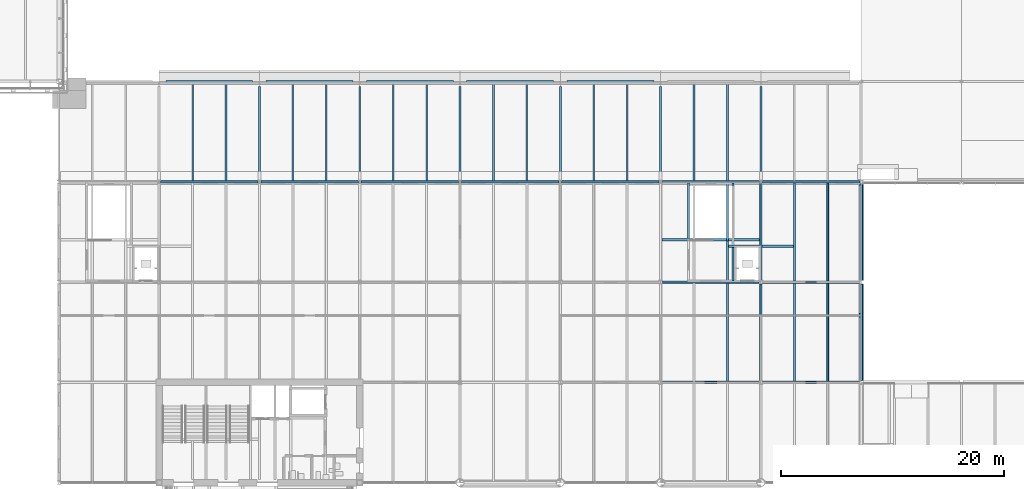
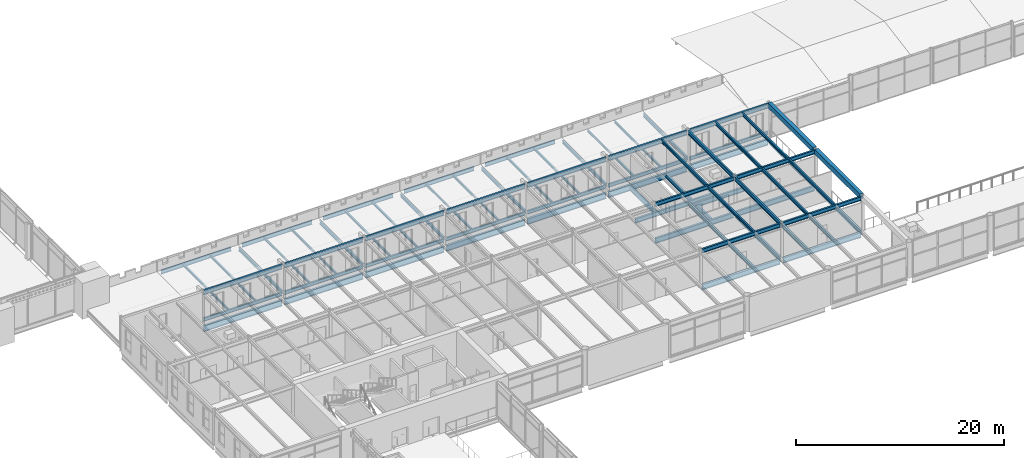
# One storey, part 38 of 123: 78 beams.
"""IFC4 building model written with IfcOpenShell, lengths in metres."""

from ifc_helpers import new_model, si_unit, direction, frame, origin, origin_2d, place, context, subcontext, project, spatial, hollow_rectangle, i_section, extrude, material, material_profile, profile_set, type_object, element, save


model = new_model("IFC4")

# Units and contexts
model_context = context("Model", 3, precision=1e-05, world=origin(), true_north=direction((0.0, 1.0)))
body_context = subcontext(model_context, "Body", "Model", "MODEL_VIEW")
ifc_project = project(units=[si_unit("LENGTHUNIT", "METRE"), si_unit("AREAUNIT", "SQUARE_METRE"), si_unit("VOLUMEUNIT", "CUBIC_METRE"), si_unit("PLANEANGLEUNIT", "RADIAN"), si_unit("MASSUNIT", "GRAM", prefix="KILO")], contexts=[model_context])

# Site, building, storey
site_placement = place(None, origin())
site = spatial("IfcSite", under=ifc_project, at=site_placement, CompositionType="ELEMENT")
building_placement = place(site_placement, origin())
building = spatial("IfcBuilding", under=site, at=building_placement, Name="Baradari Gate Terminus", CompositionType="ELEMENT")
storey_placement = place(building_placement, frame((0.0, 0.0, 7.5)))
storey = spatial("IfcBuildingStorey", under=building, at=storey_placement, Name="L01", CompositionType="ELEMENT", Elevation=7.5)

# Beams
ifc_material_1 = material(Name="Steel S355", Category="steel")
ifc_material_profile_1 = material_profile(ifc_material_1, i_section(OverallWidth=0.17138671875, OverallDepth=0.35498046875, WebThickness=0.00732421875, FlangeThickness=0.011474609375, FilletRadius=0.01025390625, at=origin_2d()), Name="UB 356x171x51")
ifc_profile_set_1 = profile_set([ifc_material_profile_1], Name="Steel S355")
beam_type_1 = type_object("IfcBeamType", Name="Canopy cross beam B61 UB 356x171x51", PredefinedType="BEAM", material=ifc_profile_set_1)
for number, where, z_axis, x_axis, name in (
    (1, (81.0, 108.130126953125, 0.6025390625), (0.0, 1.0, 0.0), (-1.0, 0.0, 0.0), "Canopy cross beam B61 10:108.13-116.55 L01"),
    (2, (90.0, 108.130126953125, 0.6025390625), (0.0, 1.0, 0.0), (-1.0, 0.0, 0.0), "Canopy cross beam B61 11:108.13-116.55 L01"),
    (3, (99.0, 108.130126953125, 0.6025390625), (0.0, 1.0, 0.0), (-1.0, 0.0, 0.0), "Canopy cross beam B61 12:108.13-116.55 L01"),
    (4, (108.0, 108.130126953125, 0.6025390625), (0.0, 1.0, 0.0), (-1.0, 0.0, 0.0), "Canopy cross beam B61 13:108.13-116.55 L01"),
    (5, (117.0, 108.130126953125, 0.6025390625), (0.0, 1.0, 0.0), (-1.0, 0.0, 0.0), "Canopy cross beam B61 14:108.13-116.55 L01"),
    (6, (126.0, 108.130126953125, 0.6025390625), (0.0, 1.0, 0.0), (-1.0, 0.0, 0.0), "Canopy cross beam B61 15:108.13-116.55 L01"),
):
    element("IfcBeam", number, at=place(storey_placement, frame(where, z_axis=z_axis, x_axis=x_axis)), inside=storey, type_object=beam_type_1, Name=name, PredefinedType="BEAM", context=body_context, shape_type="SweptSolid", body=[
        extrude(i_section(OverallWidth=0.17138671875, OverallDepth=0.35498046875, WebThickness=0.00732421875, FlangeThickness=0.011474609375, FilletRadius=0.01025390625, at=origin_2d()), origin(), (0.0, 0.0, 1.0), 8.419921875),
    ])
ifc_material_2 = material(Name="Steel S355", Category="steel")
ifc_material_profile_2 = material_profile(ifc_material_2, i_section(OverallWidth=0.1552734375, OverallDepth=0.4658203125, WebThickness=0.010498046875, FlangeThickness=0.018798828125, FilletRadius=0.01025390625, at=origin_2d()), Name="UB 457x152x82")
ifc_profile_set_2 = profile_set([ifc_material_profile_2], Name="Steel S355")
beam_type_2 = type_object("IfcBeamType", Name="Canopy edge beam B59 UB 457x152x82", PredefinedType="BEAM", material=ifc_profile_set_2)
for number, where, z_axis, x_axis, name in (
    (7, (72.60009765625, 117.0, 0.547119140625), (1.0, 0.0, 0.0), (0.0, 1.0, 0.0), "Canopy edge beam B59 P:72.6-80.4 L01"),
    (8, (81.60009765625, 117.0, 0.547119140625), (1.0, 0.0, 0.0), (0.0, 1.0, 0.0), "Canopy edge beam B59 P:81.6-89.4 L01"),
    (9, (90.60009765625, 117.0, 0.547119140625), (1.0, 0.0, 0.0), (0.0, 1.0, 0.0), "Canopy edge beam B59 P:90.6-98.4 L01"),
    (10, (99.60009765625, 117.0, 0.547119140625), (1.0, 0.0, 0.0), (0.0, 1.0, 0.0), "Canopy edge beam B59 P:99.6-107.4 L01"),
    (11, (108.60009765625, 117.0, 0.547119140625), (1.0, 0.0, 0.0), (0.0, 1.0, 0.0), "Canopy edge beam B59 P:108.6-116.4 L01"),
):
    element("IfcBeam", number, at=place(storey_placement, frame(where, z_axis=z_axis, x_axis=x_axis)), inside=storey, type_object=beam_type_2, Name=name, PredefinedType="BEAM", context=body_context, shape_type="SweptSolid", body=[
        extrude(i_section(OverallWidth=0.1552734375, OverallDepth=0.4658203125, WebThickness=0.010498046875, FlangeThickness=0.018798828125, FilletRadius=0.01025390625, at=origin_2d()), origin(), (0.0, 0.0, 1.0), 7.7998046875),
    ])
ifc_material_3 = material(Name="Steel S355", Category="steel")
ifc_material_profile_3 = material_profile(ifc_material_3, i_section(OverallWidth=0.177978515625, OverallDepth=0.406494140625, WebThickness=0.0078125, FlangeThickness=0.0126953125, FilletRadius=0.01025390625, at=origin_2d()), Name="UB 406x178x60")
ifc_profile_set_3 = profile_set([ifc_material_profile_3], Name="Steel S355")
beam_type_3 = type_object("IfcBeamType", Name="Canopy girder B58 UB 406x178x60", PredefinedType="BEAM", material=ifc_profile_set_3)
for number, where, z_axis, x_axis, name in (
    (12, (72.128173828125, 108.0, 0.576904296875), (1.0, 0.0, 0.0), (0.0, 1.0, 0.0), "Canopy girder B58 N:72.128-80.872 L01"),
    (13, (81.128173828125, 108.0, 0.576904296875), (1.0, 0.0, 0.0), (0.0, 1.0, 0.0), "Canopy girder B58 N:81.128-89.872 L01"),
    (14, (90.128173828125, 108.0, 0.576904296875), (1.0, 0.0, 0.0), (0.0, 1.0, 0.0), "Canopy girder B58 N:90.128-98.872 L01"),
    (15, (99.128173828125, 108.0, 0.576904296875), (1.0, 0.0, 0.0), (0.0, 1.0, 0.0), "Canopy girder B58 N:99.128-107.872 L01"),
    (16, (108.128173828125, 108.0, 0.576904296875), (1.0, 0.0, 0.0), (0.0, 1.0, 0.0), "Canopy girder B58 N:108.128-116.872 L01"),
    (17, (117.128173828125, 108.0, 0.576904296875), (1.0, 0.0, 0.0), (0.0, 1.0, 0.0), "Canopy girder B58 N:117.128-125.872 L01"),
    (18, (126.128173828125, 108.0, 0.576904296875), (1.0, 0.0, 0.0), (0.0, 1.0, 0.0), "Canopy girder B58 N:126.128-134.872 L01"),
):
    element("IfcBeam", number, at=place(storey_placement, frame(where, z_axis=z_axis, x_axis=x_axis)), inside=storey, type_object=beam_type_3, Name=name, PredefinedType="BEAM", context=body_context, shape_type="SweptSolid", body=[
        extrude(i_section(OverallWidth=0.177978515625, OverallDepth=0.406494140625, WebThickness=0.0078125, FlangeThickness=0.0126953125, FilletRadius=0.01025390625, at=origin_2d()), origin(), (0.0, 0.0, 1.0), 8.74365234375),
    ])
ifc_material_4 = material(Name="Steel S355", Category="steel")
ifc_material_profile_4 = material_profile(ifc_material_4, i_section(OverallWidth=0.14599609375, OverallDepth=0.25146484375, WebThickness=0.006103515625, FlangeThickness=0.008544921875, FilletRadius=0.007568359375, at=origin_2d()), Name="UB 254x146x31")
ifc_profile_set_4 = profile_set([ifc_material_profile_4], Name="Steel S355")
beam_type_4 = type_object("IfcBeamType", Name="Canopy secondary beam B60 UB 254x146x31", PredefinedType="BEAM", material=ifc_profile_set_4)
for number, where, z_axis, x_axis, name in (
    (19, (75.0, 108.0888671875, 0.654296875), (0.0, 1.0, 0.0), (-1.0, 0.0, 0.0), "Canopy secondary beam B60 75:108.089-116.922 L01"),
    (20, (78.0, 108.0888671875, 0.654296875), (0.0, 1.0, 0.0), (-1.0, 0.0, 0.0), "Canopy secondary beam B60 78:108.089-116.922 L01"),
    (21, (84.0, 108.0888671875, 0.654296875), (0.0, 1.0, 0.0), (-1.0, 0.0, 0.0), "Canopy secondary beam B60 84:108.089-116.922 L01"),
    (22, (87.0, 108.0888671875, 0.654296875), (0.0, 1.0, 0.0), (-1.0, 0.0, 0.0), "Canopy secondary beam B60 87:108.089-116.922 L01"),
    (23, (93.0, 108.0888671875, 0.654296875), (0.0, 1.0, 0.0), (-1.0, 0.0, 0.0), "Canopy secondary beam B60 93:108.089-116.922 L01"),
    (24, (96.0, 108.0888671875, 0.654296875), (0.0, 1.0, 0.0), (-1.0, 0.0, 0.0), "Canopy secondary beam B60 96:108.089-116.922 L01"),
    (25, (102.0, 108.0888671875, 0.654296875), (0.0, 1.0, 0.0), (-1.0, 0.0, 0.0), "Canopy secondary beam B60 102:108.089-116.922 L01"),
    (26, (105.0, 108.0888671875, 0.654296875), (0.0, 1.0, 0.0), (-1.0, 0.0, 0.0), "Canopy secondary beam B60 105:108.089-116.922 L01"),
    (27, (111.0, 108.0888671875, 0.654296875), (0.0, 1.0, 0.0), (-1.0, 0.0, 0.0), "Canopy secondary beam B60 111:108.089-116.922 L01"),
    (28, (114.0, 108.0888671875, 0.654296875), (0.0, 1.0, 0.0), (-1.0, 0.0, 0.0), "Canopy secondary beam B60 114:108.089-116.922 L01"),
    (29, (120.0, 108.0888671875, 0.654296875), (0.0, 1.0, 0.0), (-1.0, 0.0, 0.0), "Canopy secondary beam B60 120:108.089-116.922 L01"),
    (30, (123.0, 108.0888671875, 0.654296875), (0.0, 1.0, 0.0), (-1.0, 0.0, 0.0), "Canopy secondary beam B60 123:108.089-116.922 L01"),
):
    element("IfcBeam", number, at=place(storey_placement, frame(where, z_axis=z_axis, x_axis=x_axis)), inside=storey, type_object=beam_type_4, Name=name, PredefinedType="BEAM", context=body_context, shape_type="SweptSolid", body=[
        extrude(i_section(OverallWidth=0.14599609375, OverallDepth=0.25146484375, WebThickness=0.006103515625, FlangeThickness=0.008544921875, FilletRadius=0.007568359375, at=origin_2d()), origin(), (0.0, 0.0, 1.0), 8.83349609375),
    ])
ifc_material_5 = material(Name="Steel S355", Category="steel")
ifc_material_profile_5 = material_profile(ifc_material_5, i_section(OverallWidth=0.210693359375, OverallDepth=0.53955078125, WebThickness=0.01171875, FlangeThickness=0.018798828125, FilletRadius=0.0126953125, at=origin_2d()), Name="UB 533x210x109")
ifc_profile_set_5 = profile_set([ifc_material_profile_5], Name="Steel S355")
beam_type_5 = type_object("IfcBeamType", Name="Head-house cross girder B12 UB 533x210x109", PredefinedType="BEAM", material=ifc_profile_set_5)
beam_1_placement = place(storey_placement, frame((126.0, 90.1572265625, -0.399658203125), z_axis=(0.0, 1.0, 0.0), x_axis=(-1.0, 0.0, 0.0)))
element("IfcBeam", 31, at=beam_1_placement, inside=storey, type_object=beam_type_5, Name="Head-house cross girder B12 15:90.157-98.843 L01", PredefinedType="BEAM", context=body_context, shape_type="SweptSolid", body=[
    extrude(i_section(OverallWidth=0.210693359375, OverallDepth=0.53955078125, WebThickness=0.01171875, FlangeThickness=0.018798828125, FilletRadius=0.0126953125, at=origin_2d()), origin(), (0.0, 0.0, 1.0), 8.685546875),
])
beam_2_placement = place(storey_placement, frame((126.0, 99.1572265625, -0.399658203125), z_axis=(0.0, 1.0, 0.0), x_axis=(-1.0, 0.0, 0.0)))
element("IfcBeam", 32, at=beam_2_placement, inside=storey, type_object=beam_type_5, Name="Head-house cross girder B12 15:99.157-107.87 L01", PredefinedType="BEAM", context=body_context, shape_type="SweptSolid", body=[
    extrude(i_section(OverallWidth=0.210693359375, OverallDepth=0.53955078125, WebThickness=0.01171875, FlangeThickness=0.018798828125, FilletRadius=0.0126953125, at=origin_2d()), origin(), (0.0, 0.0, 1.0), 8.712646484375),
])
beam_3_placement = place(storey_placement, frame((135.0, 90.1572265625, -0.399658203125), z_axis=(0.0, 1.0, 0.0), x_axis=(-1.0, 0.0, 0.0)))
element("IfcBeam", 33, at=beam_3_placement, inside=storey, type_object=beam_type_5, Name="Head-house cross girder B12 16:90.157-98.843 L01", PredefinedType="BEAM", context=body_context, shape_type="SweptSolid", body=[
    extrude(i_section(OverallWidth=0.210693359375, OverallDepth=0.53955078125, WebThickness=0.01171875, FlangeThickness=0.018798828125, FilletRadius=0.0126953125, at=origin_2d()), origin(), (0.0, 0.0, 1.0), 8.685546875),
])
beam_4_placement = place(storey_placement, frame((135.0, 99.1572265625, -0.399658203125), z_axis=(0.0, 1.0, 0.0), x_axis=(-1.0, 0.0, 0.0)))
element("IfcBeam", 34, at=beam_4_placement, inside=storey, type_object=beam_type_5, Name="Head-house cross girder B12 16:99.157-107.87 L01", PredefinedType="BEAM", context=body_context, shape_type="SweptSolid", body=[
    extrude(i_section(OverallWidth=0.210693359375, OverallDepth=0.53955078125, WebThickness=0.01171875, FlangeThickness=0.018798828125, FilletRadius=0.0126953125, at=origin_2d()), origin(), (0.0, 0.0, 1.0), 8.712646484375),
])
ifc_material_6 = material(Name="Steel S355", Category="steel")
ifc_material_profile_6 = material_profile(ifc_material_6, i_section(OverallWidth=0.2529296875, OverallDepth=0.677978515625, WebThickness=0.01171875, FlangeThickness=0.01611328125, FilletRadius=0.01513671875, at=origin_2d()), Name="UB 686x254x125")
ifc_profile_set_6 = profile_set([ifc_material_profile_6], Name="Steel S355")
beam_type_6 = type_object("IfcBeamType", Name="Head-house edge girder B07 UB 686x254x125", PredefinedType="BEAM", material=ifc_profile_set_6)
for number, where, z_axis, x_axis, name in (
    (35, (72.128173828125, 108.0, -0.468994140625), (1.0, 0.0, 0.0), (0.0, 1.0, 0.0), "Head-house edge girder B07 N:72.128-80.872 L01"),
    (36, (81.128173828125, 108.0, -0.468994140625), (1.0, 0.0, 0.0), (0.0, 1.0, 0.0), "Head-house edge girder B07 N:81.128-89.872 L01"),
    (37, (90.128173828125, 108.0, -0.468994140625), (1.0, 0.0, 0.0), (0.0, 1.0, 0.0), "Head-house edge girder B07 N:90.128-98.872 L01"),
    (38, (99.128173828125, 108.0, -0.468994140625), (1.0, 0.0, 0.0), (0.0, 1.0, 0.0), "Head-house edge girder B07 N:99.128-107.872 L01"),
    (39, (108.128173828125, 108.0, -0.468994140625), (1.0, 0.0, 0.0), (0.0, 1.0, 0.0), "Head-house edge girder B07 N:108.128-116.872 L01"),
    (40, (117.128173828125, 108.0, -0.468994140625), (1.0, 0.0, 0.0), (0.0, 1.0, 0.0), "Head-house edge girder B07 N:117.128-125.872 L01"),
    (41, (126.128173828125, 108.0, -0.468994140625), (1.0, 0.0, 0.0), (0.0, 1.0, 0.0), "Head-house edge girder B07 N:126.128-134.872 L01"),
):
    element("IfcBeam", number, at=place(storey_placement, frame(where, z_axis=z_axis, x_axis=x_axis)), inside=storey, type_object=beam_type_6, Name=name, PredefinedType="BEAM", context=body_context, shape_type="SweptSolid", body=[
        extrude(i_section(OverallWidth=0.2529296875, OverallDepth=0.677978515625, WebThickness=0.01171875, FlangeThickness=0.01611328125, FilletRadius=0.01513671875, at=origin_2d()), origin(), (0.0, 0.0, 1.0), 8.74365234375),
    ])
ifc_material_7 = material(Name="Steel S355", Category="steel")
ifc_material_profile_7 = material_profile(ifc_material_7, i_section(OverallWidth=0.22900390625, OverallDepth=0.6123046875, WebThickness=0.011962890625, FlangeThickness=0.01953125, FilletRadius=0.0126953125, at=origin_2d()), Name="UB 610x229x125")
ifc_profile_set_7 = profile_set([ifc_material_profile_7], Name="Steel S355")
beam_type_7 = type_object("IfcBeamType", Name="Head-house girder B09 UB 610x229x125", PredefinedType="BEAM", material=ifc_profile_set_7)
for number, where, z_axis, x_axis, name in (
    (42, (117.15380859375, 90.0, -0.43603515625), (1.0, 0.0, 0.0), (0.0, 1.0, 0.0), "Head-house girder B09 L:117.154-125.846 L01"),
    (43, (126.15380859375, 90.0, -0.43603515625), (1.0, 0.0, 0.0), (0.0, 1.0, 0.0), "Head-house girder B09 L:126.154-134.846 L01"),
    (44, (117.15380859375, 99.0, -0.43603515625), (1.0, 0.0, 0.0), (0.0, 1.0, 0.0), "Head-house girder B09 M:117.154-125.846 L01"),
    (45, (126.15380859375, 99.0, -0.43603515625), (1.0, 0.0, 0.0), (0.0, 1.0, 0.0), "Head-house girder B09 M:126.154-134.846 L01"),
):
    element("IfcBeam", number, at=place(storey_placement, frame(where, z_axis=z_axis, x_axis=x_axis)), inside=storey, type_object=beam_type_7, Name=name, PredefinedType="BEAM", context=body_context, shape_type="SweptSolid", body=[
        extrude(i_section(OverallWidth=0.22900390625, OverallDepth=0.6123046875, WebThickness=0.011962890625, FlangeThickness=0.01953125, FilletRadius=0.0126953125, at=origin_2d()), origin(), (0.0, 0.0, 1.0), 8.6923828125),
    ])
ifc_material_8 = material(Name="Steel S355", Category="steel")
ifc_material_profile_8 = material_profile(ifc_material_8, i_section(OverallWidth=0.1904296875, OverallDepth=0.45703125, WebThickness=0.009033203125, FlangeThickness=0.014404296875, FilletRadius=0.01025390625, at=origin_2d()), Name="UB 457x191x74")
ifc_profile_set_8 = profile_set([ifc_material_profile_8], Name="Steel S355")
beam_type_8 = type_object("IfcBeamType", Name="Head-house roof cross girder B51 UB 457x191x74", PredefinedType="BEAM", material=ifc_profile_set_8)
beam_5_placement = place(storey_placement, frame((126.0, 90.1572265625, 3.821533203125), z_axis=(0.0, 1.0, 0.0), x_axis=(-1.0, 0.0, 0.0)))
element("IfcBeam", 46, at=beam_5_placement, inside=storey, type_object=beam_type_8, Name="Head-house roof cross girder B51 15:90.157-98.843 L01", PredefinedType="BEAM", context=body_context, shape_type="SweptSolid", body=[
    extrude(i_section(OverallWidth=0.1904296875, OverallDepth=0.45703125, WebThickness=0.009033203125, FlangeThickness=0.014404296875, FilletRadius=0.01025390625, at=origin_2d()), origin(), (0.0, 0.0, 1.0), 8.685546875),
])
beam_6_placement = place(storey_placement, frame((126.0, 99.1572265625, 3.821533203125), z_axis=(0.0, 1.0, 0.0), x_axis=(-1.0, 0.0, 0.0)))
element("IfcBeam", 47, at=beam_6_placement, inside=storey, type_object=beam_type_8, Name="Head-house roof cross girder B51 15:99.157-107.87 L01", PredefinedType="BEAM", context=body_context, shape_type="SweptSolid", body=[
    extrude(i_section(OverallWidth=0.1904296875, OverallDepth=0.45703125, WebThickness=0.009033203125, FlangeThickness=0.014404296875, FilletRadius=0.01025390625, at=origin_2d()), origin(), (0.0, 0.0, 1.0), 8.712646484375),
])
ifc_material_9 = material(Name="Steel S355", Category="steel")
ifc_material_profile_9 = material_profile(ifc_material_9, i_section(OverallWidth=0.209228515625, OverallDepth=0.533203125, WebThickness=0.010009765625, FlangeThickness=0.015625, FilletRadius=0.0126953125, at=origin_2d()), Name="UB 533x210x92")
ifc_profile_set_9 = profile_set([ifc_material_profile_9], Name="Steel S355")
beam_type_9 = type_object("IfcBeamType", Name="Head-house roof edge girder B48 UB 533x210x92", PredefinedType="BEAM", material=ifc_profile_set_9)
for number, where, z_axis, x_axis, name in (
    (48, (72.128173828125, 108.0, 3.783447265625), (1.0, 0.0, 0.0), (0.0, 1.0, 0.0), "Head-house roof edge girder B48 N:72.128-80.872 L01"),
    (49, (81.128173828125, 108.0, 3.783447265625), (1.0, 0.0, 0.0), (0.0, 1.0, 0.0), "Head-house roof edge girder B48 N:81.128-89.872 L01"),
    (50, (90.128173828125, 108.0, 3.783447265625), (1.0, 0.0, 0.0), (0.0, 1.0, 0.0), "Head-house roof edge girder B48 N:90.128-98.872 L01"),
    (51, (99.128173828125, 108.0, 3.783447265625), (1.0, 0.0, 0.0), (0.0, 1.0, 0.0), "Head-house roof edge girder B48 N:99.128-107.872 L01"),
    (52, (108.128173828125, 108.0, 3.783447265625), (1.0, 0.0, 0.0), (0.0, 1.0, 0.0), "Head-house roof edge girder B48 N:108.128-116.872 L01"),
    (53, (117.128173828125, 108.0, 3.783447265625), (1.0, 0.0, 0.0), (0.0, 1.0, 0.0), "Head-house roof edge girder B48 N:117.128-125.872 L01"),
    (54, (126.128173828125, 108.0, 3.783447265625), (1.0, 0.0, 0.0), (0.0, 1.0, 0.0), "Head-house roof edge girder B48 N:126.128-134.872 L01"),
):
    element("IfcBeam", number, at=place(storey_placement, frame(where, z_axis=z_axis, x_axis=x_axis)), inside=storey, type_object=beam_type_9, Name=name, PredefinedType="BEAM", context=body_context, shape_type="SweptSolid", body=[
        extrude(i_section(OverallWidth=0.209228515625, OverallDepth=0.533203125, WebThickness=0.010009765625, FlangeThickness=0.015625, FilletRadius=0.0126953125, at=origin_2d()), origin(), (0.0, 0.0, 1.0), 8.74365234375),
    ])
ifc_material_10 = material(Name="Steel S355", Category="steel")
ifc_material_profile_10 = material_profile(ifc_material_10, i_section(OverallWidth=0.19140625, OverallDepth=0.4599609375, WebThickness=0.010009765625, FlangeThickness=0.01611328125, FilletRadius=0.01025390625, at=origin_2d()), Name="UB 457x191x82")
ifc_profile_set_10 = profile_set([ifc_material_profile_10], Name="Steel S355")
beam_type_10 = type_object("IfcBeamType", Name="Head-house roof girder B49 UB 457x191x82", PredefinedType="BEAM", material=ifc_profile_set_10)
for number, where, z_axis, x_axis, name in (
    (55, (117.15380859375, 90.0, 3.820068359375), (1.0, 0.0, 0.0), (0.0, 1.0, 0.0), "Head-house roof girder B49 L:117.154-125.846 L01"),
    (56, (126.15380859375, 90.0, 3.820068359375), (1.0, 0.0, 0.0), (0.0, 1.0, 0.0), "Head-house roof girder B49 L:126.154-134.846 L01"),
    (57, (117.15380859375, 99.0, 3.820068359375), (1.0, 0.0, 0.0), (0.0, 1.0, 0.0), "Head-house roof girder B49 M:117.154-125.846 L01"),
    (58, (126.15380859375, 99.0, 3.820068359375), (1.0, 0.0, 0.0), (0.0, 1.0, 0.0), "Head-house roof girder B49 M:126.154-134.846 L01"),
):
    element("IfcBeam", number, at=place(storey_placement, frame(where, z_axis=z_axis, x_axis=x_axis)), inside=storey, type_object=beam_type_10, Name=name, PredefinedType="BEAM", context=body_context, shape_type="SweptSolid", body=[
        extrude(i_section(OverallWidth=0.19140625, OverallDepth=0.4599609375, WebThickness=0.010009765625, FlangeThickness=0.01611328125, FilletRadius=0.01025390625, at=origin_2d()), origin(), (0.0, 0.0, 1.0), 8.6923828125),
    ])
ifc_material_11 = material(Name="Steel S355", Category="steel")
ifc_material_profile_11 = material_profile(ifc_material_11, i_section(OverallWidth=0.17138671875, OverallDepth=0.35498046875, WebThickness=0.00732421875, FlangeThickness=0.011474609375, FilletRadius=0.01025390625, at=origin_2d()), Name="UB 356x171x51")
ifc_profile_set_11 = profile_set([ifc_material_profile_11], Name="Steel S355")
beam_type_11 = type_object("IfcBeamType", Name="Head-house roof secondary beam B50 UB 356x171x51", PredefinedType="BEAM", material=ifc_profile_set_11)
beam_7_placement = place(storey_placement, frame((123.0, 90.095703125, 3.87255859375), z_axis=(0.0, 1.0, 0.0), x_axis=(-1.0, 0.0, 0.0)))
element("IfcBeam", 59, at=beam_7_placement, inside=storey, type_object=beam_type_11, Name="Head-house roof secondary beam B50 123:90.096-98.904 L01", PredefinedType="BEAM", context=body_context, shape_type="SweptSolid", body=[
    extrude(i_section(OverallWidth=0.17138671875, OverallDepth=0.35498046875, WebThickness=0.00732421875, FlangeThickness=0.011474609375, FilletRadius=0.01025390625, at=origin_2d()), origin(), (0.0, 0.0, 1.0), 8.80859375),
])
beam_8_placement = place(storey_placement, frame((123.0, 99.095703125, 3.87255859375), z_axis=(0.0, 1.0, 0.0), x_axis=(-1.0, 0.0, 0.0)))
element("IfcBeam", 60, at=beam_8_placement, inside=storey, type_object=beam_type_11, Name="Head-house roof secondary beam B50 123:99.096-107.895 L01", PredefinedType="BEAM", context=body_context, shape_type="SweptSolid", body=[
    extrude(i_section(OverallWidth=0.17138671875, OverallDepth=0.35498046875, WebThickness=0.00732421875, FlangeThickness=0.011474609375, FilletRadius=0.01025390625, at=origin_2d()), origin(), (0.0, 0.0, 1.0), 8.799560546875),
])
beam_9_placement = place(storey_placement, frame((129.0, 90.095703125, 3.87255859375), z_axis=(0.0, 1.0, 0.0), x_axis=(-1.0, 0.0, 0.0)))
element("IfcBeam", 61, at=beam_9_placement, inside=storey, type_object=beam_type_11, Name="Head-house roof secondary beam B50 129:90.096-98.904 L01", PredefinedType="BEAM", context=body_context, shape_type="SweptSolid", body=[
    extrude(i_section(OverallWidth=0.17138671875, OverallDepth=0.35498046875, WebThickness=0.00732421875, FlangeThickness=0.011474609375, FilletRadius=0.01025390625, at=origin_2d()), origin(), (0.0, 0.0, 1.0), 8.80859375),
])
beam_10_placement = place(storey_placement, frame((129.0, 99.095703125, 3.87255859375), z_axis=(0.0, 1.0, 0.0), x_axis=(-1.0, 0.0, 0.0)))
element("IfcBeam", 62, at=beam_10_placement, inside=storey, type_object=beam_type_11, Name="Head-house roof secondary beam B50 129:99.096-107.895 L01", PredefinedType="BEAM", context=body_context, shape_type="SweptSolid", body=[
    extrude(i_section(OverallWidth=0.17138671875, OverallDepth=0.35498046875, WebThickness=0.00732421875, FlangeThickness=0.011474609375, FilletRadius=0.01025390625, at=origin_2d()), origin(), (0.0, 0.0, 1.0), 8.799560546875),
])
beam_11_placement = place(storey_placement, frame((132.0, 90.095703125, 3.87255859375), z_axis=(0.0, 1.0, 0.0), x_axis=(-1.0, 0.0, 0.0)))
element("IfcBeam", 63, at=beam_11_placement, inside=storey, type_object=beam_type_11, Name="Head-house roof secondary beam B50 132:90.096-98.904 L01", PredefinedType="BEAM", context=body_context, shape_type="SweptSolid", body=[
    extrude(i_section(OverallWidth=0.17138671875, OverallDepth=0.35498046875, WebThickness=0.00732421875, FlangeThickness=0.011474609375, FilletRadius=0.01025390625, at=origin_2d()), origin(), (0.0, 0.0, 1.0), 8.80859375),
])
beam_12_placement = place(storey_placement, frame((132.0, 99.095703125, 3.87255859375), z_axis=(0.0, 1.0, 0.0), x_axis=(-1.0, 0.0, 0.0)))
element("IfcBeam", 64, at=beam_12_placement, inside=storey, type_object=beam_type_11, Name="Head-house roof secondary beam B50 132:99.096-107.895 L01", PredefinedType="BEAM", context=body_context, shape_type="SweptSolid", body=[
    extrude(i_section(OverallWidth=0.17138671875, OverallDepth=0.35498046875, WebThickness=0.00732421875, FlangeThickness=0.011474609375, FilletRadius=0.01025390625, at=origin_2d()), origin(), (0.0, 0.0, 1.0), 8.799560546875),
])
ifc_material_12 = material(Name="Steel S355", Category="steel")
ifc_material_profile_12 = material_profile(ifc_material_12, i_section(OverallWidth=0.18994140625, OverallDepth=0.453369140625, WebThickness=0.008544921875, FlangeThickness=0.0126953125, FilletRadius=0.01025390625, at=origin_2d()), Name="UB 457x191x67")
ifc_profile_set_12 = profile_set([ifc_material_profile_12], Name="Steel S355")
beam_type_12 = type_object("IfcBeamType", Name="Head-house secondary beam B11 UB 457x191x67", PredefinedType="BEAM", material=ifc_profile_set_12)
beam_13_placement = place(storey_placement, frame((123.0, 90.114501953125, -0.356689453125), z_axis=(0.0, 1.0, 0.0), x_axis=(-1.0, 0.0, 0.0)))
element("IfcBeam", 65, at=beam_13_placement, inside=storey, type_object=beam_type_12, Name="Head-house secondary beam B11 123:90.115-98.885 L01", PredefinedType="BEAM", context=body_context, shape_type="SweptSolid", body=[
    extrude(i_section(OverallWidth=0.18994140625, OverallDepth=0.453369140625, WebThickness=0.008544921875, FlangeThickness=0.0126953125, FilletRadius=0.01025390625, at=origin_2d()), origin(), (0.0, 0.0, 1.0), 8.77099609375),
])
beam_14_placement = place(storey_placement, frame((123.0, 99.114501953125, -0.356689453125), z_axis=(0.0, 1.0, 0.0), x_axis=(-1.0, 0.0, 0.0)))
element("IfcBeam", 66, at=beam_14_placement, inside=storey, type_object=beam_type_12, Name="Head-house secondary beam B11 123:99.115-102.695 L01", PredefinedType="BEAM", context=body_context, shape_type="SweptSolid", body=[
    extrude(i_section(OverallWidth=0.18994140625, OverallDepth=0.453369140625, WebThickness=0.008544921875, FlangeThickness=0.0126953125, FilletRadius=0.01025390625, at=origin_2d()), origin(), (0.0, 0.0, 1.0), 3.580810546875),
])
beam_15_placement = place(storey_placement, frame((129.0, 90.114501953125, -0.356689453125), z_axis=(0.0, 1.0, 0.0), x_axis=(-1.0, 0.0, 0.0)))
element("IfcBeam", 67, at=beam_15_placement, inside=storey, type_object=beam_type_12, Name="Head-house secondary beam B11 129:90.115-98.885 L01", PredefinedType="BEAM", context=body_context, shape_type="SweptSolid", body=[
    extrude(i_section(OverallWidth=0.18994140625, OverallDepth=0.453369140625, WebThickness=0.008544921875, FlangeThickness=0.0126953125, FilletRadius=0.01025390625, at=origin_2d()), origin(), (0.0, 0.0, 1.0), 8.77099609375),
])
beam_16_placement = place(storey_placement, frame((129.0, 99.114501953125, -0.356689453125), z_axis=(0.0, 1.0, 0.0), x_axis=(-1.0, 0.0, 0.0)))
element("IfcBeam", 68, at=beam_16_placement, inside=storey, type_object=beam_type_12, Name="Head-house secondary beam B11 129:99.115-107.874 L01", PredefinedType="BEAM", context=body_context, shape_type="SweptSolid", body=[
    extrude(i_section(OverallWidth=0.18994140625, OverallDepth=0.453369140625, WebThickness=0.008544921875, FlangeThickness=0.0126953125, FilletRadius=0.01025390625, at=origin_2d()), origin(), (0.0, 0.0, 1.0), 8.759033203125),
])
beam_17_placement = place(storey_placement, frame((132.0, 90.114501953125, -0.356689453125), z_axis=(0.0, 1.0, 0.0), x_axis=(-1.0, 0.0, 0.0)))
element("IfcBeam", 69, at=beam_17_placement, inside=storey, type_object=beam_type_12, Name="Head-house secondary beam B11 132:90.115-98.885 L01", PredefinedType="BEAM", context=body_context, shape_type="SweptSolid", body=[
    extrude(i_section(OverallWidth=0.18994140625, OverallDepth=0.453369140625, WebThickness=0.008544921875, FlangeThickness=0.0126953125, FilletRadius=0.01025390625, at=origin_2d()), origin(), (0.0, 0.0, 1.0), 8.77099609375),
])
beam_18_placement = place(storey_placement, frame((132.0, 99.114501953125, -0.356689453125), z_axis=(0.0, 1.0, 0.0), x_axis=(-1.0, 0.0, 0.0)))
element("IfcBeam", 70, at=beam_18_placement, inside=storey, type_object=beam_type_12, Name="Head-house secondary beam B11 132:99.115-107.874 L01", PredefinedType="BEAM", context=body_context, shape_type="SweptSolid", body=[
    extrude(i_section(OverallWidth=0.18994140625, OverallDepth=0.453369140625, WebThickness=0.008544921875, FlangeThickness=0.0126953125, FilletRadius=0.01025390625, at=origin_2d()), origin(), (0.0, 0.0, 1.0), 8.759033203125),
])
ifc_material_13 = material(Name="Steel S355", Category="steel")
ifc_material_profile_13 = material_profile(ifc_material_13, i_section(OverallWidth=0.209228515625, OverallDepth=0.533203125, WebThickness=0.010009765625, FlangeThickness=0.015625, FilletRadius=0.0126953125, at=origin_2d()), Name="UB 533x210x92")
ifc_profile_set_13 = profile_set([ifc_material_profile_13], Name="Steel S355")
beam_type_13 = type_object("IfcBeamType", Name="Head-house trimmer beam B08 UB 533x210x92", PredefinedType="BEAM", material=ifc_profile_set_13)
beam_19_placement = place(storey_placement, frame((117.10546875, 102.800048828125, -0.396484375), z_axis=(1.0, 0.0, 0.0), x_axis=(0.0, 1.0, 0.0)))
element("IfcBeam", 71, at=beam_19_placement, inside=storey, type_object=beam_type_13, Name="Head-house trimmer beam B08 102.8:117.105-125.895 L01", PredefinedType="BEAM", context=body_context, shape_type="SweptSolid", body=[
    extrude(i_section(OverallWidth=0.209228515625, OverallDepth=0.533203125, WebThickness=0.010009765625, FlangeThickness=0.015625, FilletRadius=0.0126953125, at=origin_2d()), origin(), (0.0, 0.0, 1.0), 8.7890625),
])
beam_20_placement = place(storey_placement, frame((123.5, 99.114501953125, -0.396484375), z_axis=(0.0, 1.0, 0.0), x_axis=(-1.0, 0.0, 0.0)))
element("IfcBeam", 72, at=beam_20_placement, inside=storey, type_object=beam_type_13, Name="Head-house trimmer beam B08 123.5:99.115-102.095 L01", PredefinedType="BEAM", context=body_context, shape_type="SweptSolid", body=[
    extrude(i_section(OverallWidth=0.209228515625, OverallDepth=0.533203125, WebThickness=0.010009765625, FlangeThickness=0.015625, FilletRadius=0.0126953125, at=origin_2d()), origin(), (0.0, 0.0, 1.0), 2.980712890625),
])
for number, where, z_axis, x_axis, name in (
    (73, (123.094970703125, 102.199951171875, -0.396484375), (1.0, 0.0, 0.0), (0.0, 1.0, 0.0), "Head-house trimmer beam B08 102.2:123.095-125.895 L01"),
    (74, (126.10546875, 102.199951171875, -0.396484375), (1.0, 0.0, 0.0), (0.0, 1.0, 0.0), "Head-house trimmer beam B08 102.2:126.105-128.905 L01"),
):
    element("IfcBeam", number, at=place(storey_placement, frame(where, z_axis=z_axis, x_axis=x_axis)), inside=storey, type_object=beam_type_13, Name=name, PredefinedType="BEAM", context=body_context, shape_type="SweptSolid", body=[
        extrude(i_section(OverallWidth=0.209228515625, OverallDepth=0.533203125, WebThickness=0.010009765625, FlangeThickness=0.015625, FilletRadius=0.0126953125, at=origin_2d()), origin(), (0.0, 0.0, 1.0), 2.799560546875),
    ])
for number, where, z_axis, x_axis, name in (
    (75, (119.4951171875, 102.90478515625, -0.396484375), (0.0, 1.0, 0.0), (-1.0, 0.0, 0.0), "Head-house trimmer beam B08 119.495:102.905-107.874 L01"),
    (76, (123.5, 102.90478515625, -0.396484375), (0.0, 1.0, 0.0), (-1.0, 0.0, 0.0), "Head-house trimmer beam B08 123.5:102.905-107.874 L01"),
):
    element("IfcBeam", number, at=place(storey_placement, frame(where, z_axis=z_axis, x_axis=x_axis)), inside=storey, type_object=beam_type_13, Name=name, PredefinedType="BEAM", context=body_context, shape_type="SweptSolid", body=[
        extrude(i_section(OverallWidth=0.209228515625, OverallDepth=0.533203125, WebThickness=0.010009765625, FlangeThickness=0.015625, FilletRadius=0.0126953125, at=origin_2d()), origin(), (0.0, 0.0, 1.0), 4.96875),
    ])
ifc_material_14 = material(Name="Steel S355", Category="steel")
ifc_material_profile_14 = material_profile(ifc_material_14, hollow_rectangle(XDim=0.39990234375, YDim=0.60009765625, WallThickness=0.02001953125, at=origin_2d()), Name="FB 400x600x20")
ifc_profile_set_14 = profile_set([ifc_material_profile_14], Name="Steel S355")
beam_type_14 = type_object("IfcBeamType", Name="Vault spring beam B67 FB 400x600x20", PredefinedType="BEAM", material=ifc_profile_set_14)
beam_21_placement = place(storey_placement, frame((135.0, 90.1572265625, 3.89990234375), z_axis=(0.0, 1.0, 0.0), x_axis=(-1.0, 0.0, 0.0)))
element("IfcBeam", 77, at=beam_21_placement, inside=storey, type_object=beam_type_14, Name="Vault spring beam B67 16:90.157-98.843 L01", PredefinedType="BEAM", context=body_context, shape_type="SweptSolid", body=[
    extrude(hollow_rectangle(XDim=0.39990234375, YDim=0.60009765625, WallThickness=0.02001953125, at=origin_2d()), origin(), (0.0, 0.0, 1.0), 8.685546875),
])
beam_22_placement = place(storey_placement, frame((135.0, 99.1572265625, 3.89990234375), z_axis=(0.0, 1.0, 0.0), x_axis=(-1.0, 0.0, 0.0)))
element("IfcBeam", 78, at=beam_22_placement, inside=storey, type_object=beam_type_14, Name="Vault spring beam B67 16:99.157-107.87 L01", PredefinedType="BEAM", context=body_context, shape_type="SweptSolid", body=[
    extrude(hollow_rectangle(XDim=0.39990234375, YDim=0.60009765625, WallThickness=0.02001953125, at=origin_2d()), origin(), (0.0, 0.0, 1.0), 8.712646484375),
])

save(model, "model.ifc")
